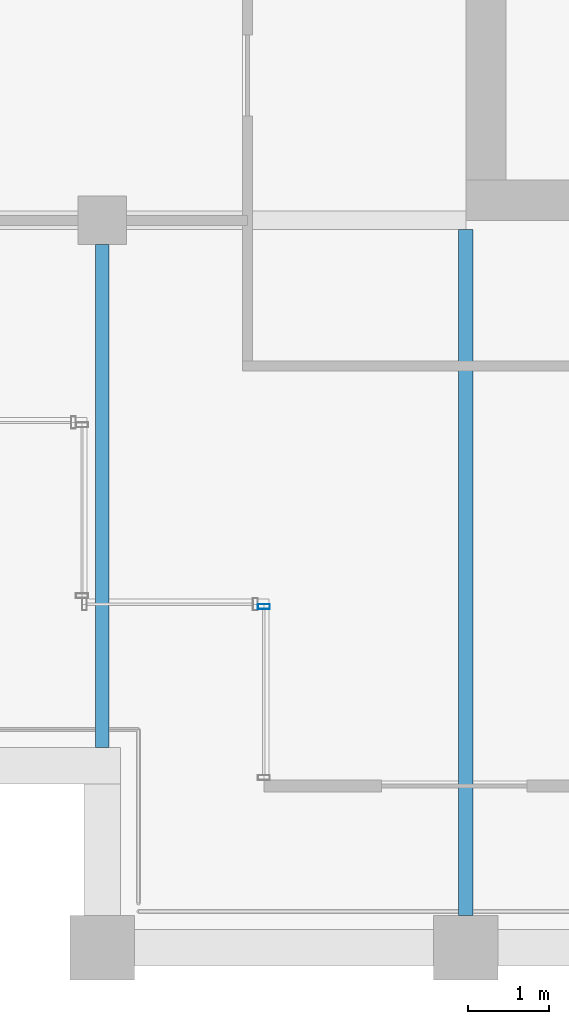
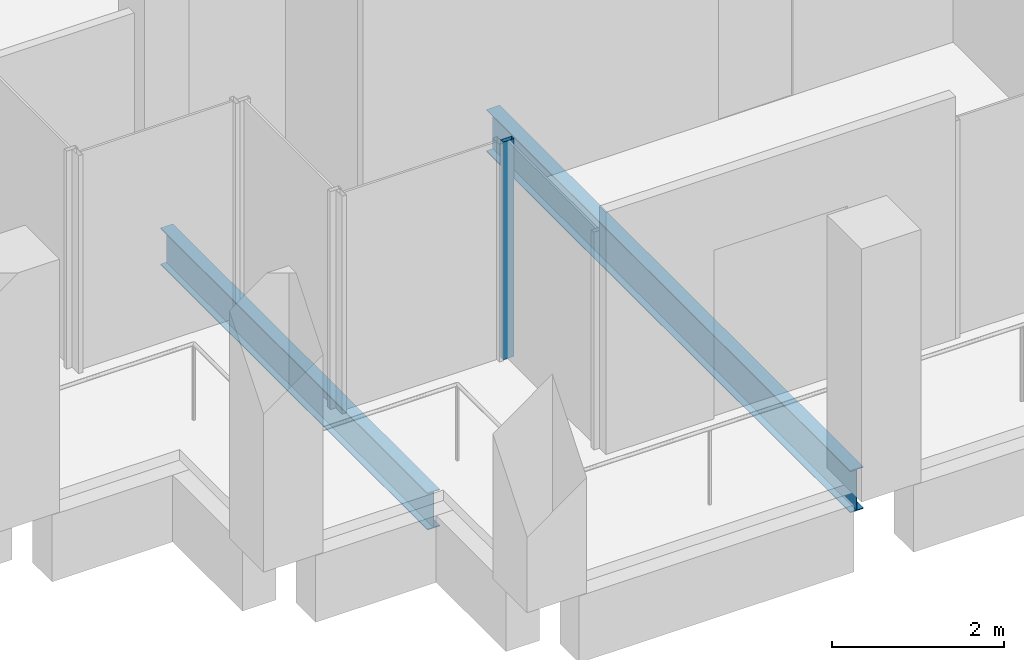
# One storey, part 29 of 40: 2 beams, 1 member, 1 element without a shape of its own.
"""IFC4 building model written with IfcOpenShell, lengths in metres."""

from ifc_helpers import new_model, si_unit, direction, frame, origin, origin_2d, place, context, subcontext, project, spatial, hollow_rectangle, i_section, extrude, material, material_profile, profile_set, type_object, element, aggregate, save


model = new_model("IFC4")

# Units and contexts
model_context = context("Model", 3, precision=1e-05, world=origin(), true_north=direction((0.0, 1.0)))
body_context = subcontext(model_context, "Body", "Model", "MODEL_VIEW")
ifc_project = project(units=[si_unit("LENGTHUNIT", "METRE"), si_unit("AREAUNIT", "SQUARE_METRE"), si_unit("VOLUMEUNIT", "CUBIC_METRE"), si_unit("PLANEANGLEUNIT", "RADIAN"), si_unit("MASSUNIT", "GRAM", prefix="KILO")], contexts=[model_context])

# Site, building, storey
site_placement = place(None, origin())
site = spatial("IfcSite", under=ifc_project, at=site_placement, CompositionType="ELEMENT")
building_placement = place(site_placement, origin())
building = spatial("IfcBuilding", under=site, at=building_placement, Name="Altepetl Exchange Towers", CompositionType="ELEMENT")
storey_placement = place(building_placement, frame((0.0, 0.0, 202.800048828125)))
storey = spatial("IfcBuildingStorey", under=building, at=storey_placement, Name="L51", CompositionType="ELEMENT", Elevation=202.800048828125)

# Beams
ifc_material_1 = material(Name="Steel S355", Category="steel")
ifc_material_profile_1 = material_profile(ifc_material_1, i_section(OverallWidth=0.166015625, OverallDepth=0.529052734375, WebThickness=0.009765625, FlangeThickness=0.013671875, at=origin_2d()), Name="W21X50")
ifc_profile_set_1 = profile_set([ifc_material_profile_1], Name="Steel S355")
beam_type_1 = type_object("IfcBeamType", Name="Floor beam W21X50", PredefinedType="BEAM", material=ifc_profile_set_1)
beam_1_placement = place(storey_placement, frame((99.0, 29.47509765625, -0.41455078125), z_axis=(0.0, 1.0, 0.0), x_axis=(-1.0, 0.0, 0.0)))
element("IfcBeam", 1, at=beam_1_placement, inside=storey, type_object=beam_type_1, Name="bm:B:L51:000", PredefinedType="BEAM", context=body_context, shape_type="SweptSolid", body=[
    extrude(i_section(OverallWidth=0.166015625, OverallDepth=0.529052734375, WebThickness=0.009765625, FlangeThickness=0.013671875, at=origin_2d()), origin(), (0.0, 0.0, 1.0), 6.224853515625),
])
ifc_material_profile_2 = material_profile(ifc_material_1, i_section(OverallWidth=0.177978515625, OverallDepth=0.59912109375, WebThickness=0.010009765625, FlangeThickness=0.0126953125, at=origin_2d()), Name="W24X55")
ifc_profile_set_2 = profile_set([ifc_material_profile_2], Name="Steel S355")
beam_type_2 = type_object("IfcBeamType", Name="Floor beam W24X55", PredefinedType="BEAM", material=ifc_profile_set_2)
beam_2_placement = place(storey_placement, frame((103.5, 27.39990234375, -0.449462890625), z_axis=(0.0, 1.0, 0.0), x_axis=(-1.0, 0.0, 0.0)))
element("IfcBeam", 2, at=beam_2_placement, inside=storey, type_object=beam_type_2, Name="bm:B:L51:001", PredefinedType="BEAM", context=body_context, shape_type="SweptSolid", body=[
    extrude(i_section(OverallWidth=0.177978515625, OverallDepth=0.59912109375, WebThickness=0.010009765625, FlangeThickness=0.0126953125, at=origin_2d()), origin(), (0.0, 0.0, 1.0), 8.486083984375),
])

# Curtain wall, member
ifc_material_2 = material(Name="Aluminium 6063-T6 glazing", Category="aluminium")
curtain_wall_type = type_object("IfcCurtainWallType", Name="Loggia glazing system", PredefinedType="NOTDEFINED", material=ifc_material_2)
curtain_wall_placement = place(storey_placement, origin())
curtain_wall = element("IfcCurtainWall", 3, at=curtain_wall_placement, inside=storey, type_object=curtain_wall_type, Name="CW1 run", PredefinedType="NOTDEFINED")
ifc_material_3 = material(Name="Aluminium 6063-T6", Category="aluminium")
ifc_material_profile_3 = material_profile(ifc_material_3, hollow_rectangle(XDim=0.06005859375, YDim=0.14990234375, WallThickness=0.0029296875, at=origin_2d()), Name="Mullion 60x150 aluminium")
ifc_profile_set_3 = profile_set([ifc_material_profile_3], Name="Aluminium 6063-T6")
member_type = type_object("IfcMemberType", Name="Mullion 60x150 aluminium", PredefinedType="MULLION", material=ifc_profile_set_3)
member_placement = place(storey_placement, frame((101.0, 31.219970703125, 0.0), z_axis=(0.0, 0.0, 1.0), x_axis=(0.0, -1.0, 0.0)))
member = element("IfcMember", 4, at=member_placement, type_object=member_type, Name="MU1 mullion", PredefinedType="MULLION", context=body_context, shape_type="SweptSolid", body=[
    extrude(hollow_rectangle(XDim=0.06005859375, YDim=0.14990234375, WallThickness=0.0029296875, at=origin_2d()), origin(), (0.0, 0.0, 1.0), 3.099853515625),
])
aggregate(curtain_wall, [member])

save(model, "model.ifc")
